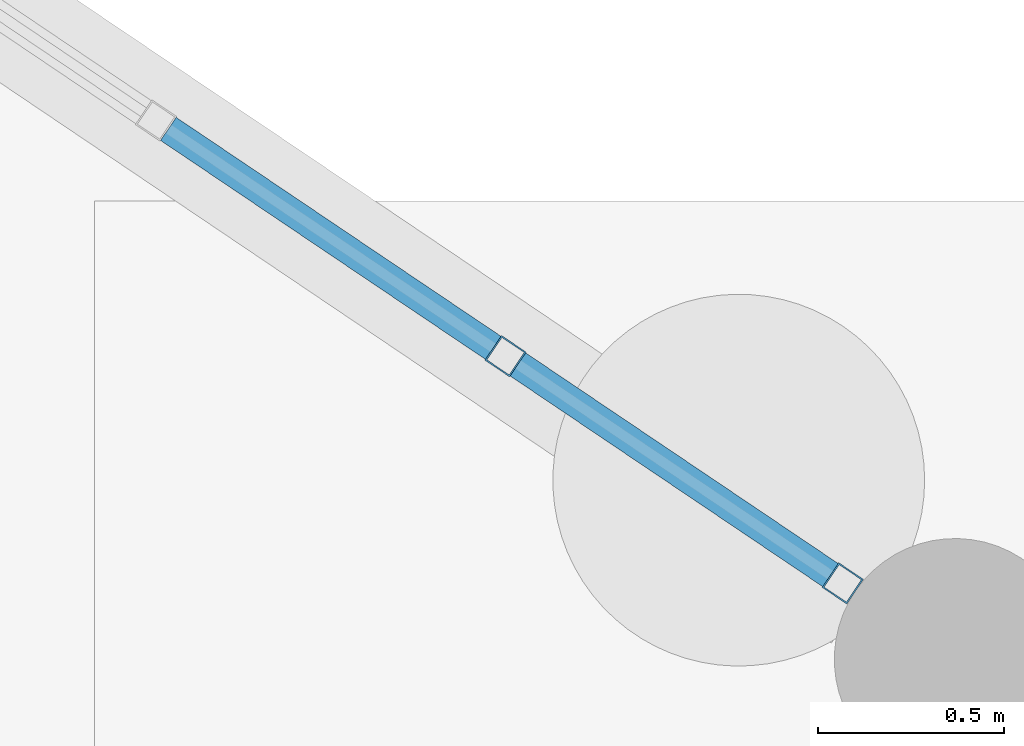
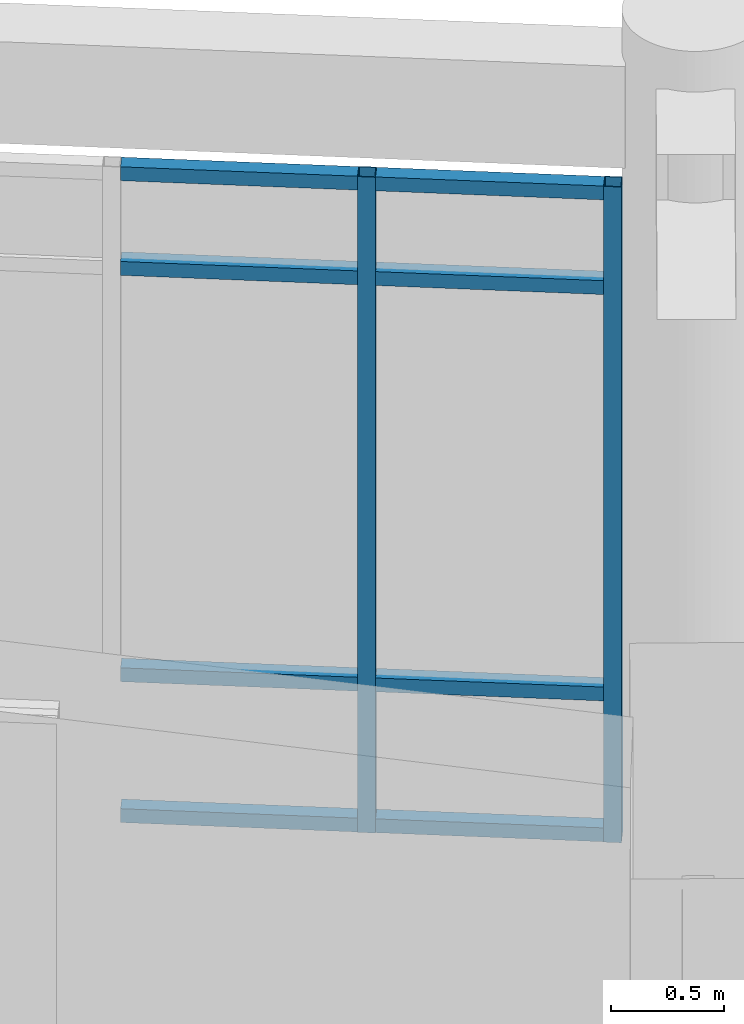
# One storey, part 41 of 153: 10 members, 1 element without a shape of its own.
"""IFC4 building model written with IfcOpenShell, lengths in metres."""

import ifcopenshell
import ifcopenshell.guid

model = None  # the IFC model being written
_history = None  # IfcOwnerHistory: only IFC2X3 demands one
_inside = {}  # id of a spatial element -> (the spatial element, [elements in it])
_under = {}  # id of a project, library or spatial element -> (it, [spatial elements below it])
_declared = {}  # id of a project -> (the project, [libraries it declares])
_typed = {}  # id of a type object -> (the type object, [elements of that type])
_made_of = {}  # id of a material, layer set ... -> (it, [elements and type objects made of it])


def new_model(schema):
    """Start an empty IFC model of exactly this schema.

    Asked for "IFC4X3", IfcOpenShell would pick the latest addendum, in which some entities
    have other attributes; the version numbers below select the first issue.
    IFC2X3 requires an IfcOwnerHistory on every rooted entity: one is made here for all.
    """
    global model, _history
    if schema == "IFC4X3":
        model = ifcopenshell.file(schema_version=(4, 3, 0, 0))
    else:
        model = ifcopenshell.file(schema=schema)
    _inside.clear()
    _under.clear()
    _declared.clear()
    _typed.clear()
    _made_of.clear()
    _history = None
    if model.schema == "IFC2X3":
        org = make("IfcOrganization", Name="unknown")
        user = make(
            "IfcPersonAndOrganization",
            ThePerson=make("IfcPerson", FamilyName="unknown"),
            TheOrganization=org,
        )
        app = make(
            "IfcApplication",
            ApplicationDeveloper=org,
            Version="unknown",
            ApplicationFullName="unknown",
            ApplicationIdentifier="unknown",
        )
        _history = make(
            "IfcOwnerHistory",
            OwningUser=user,
            OwningApplication=app,
            ChangeAction="ADDED",
            CreationDate=0,
        )
    return model


def make(cls, **values):
    """One entity of the class cls with the attributes given. An attribute that is None is left unset."""
    return model.create_entity(
        cls, **{name: value for name, value in values.items() if value is not None}
    )


def rooted(cls, **values):
    """An entity with a GlobalId (a new one), such as an element, a storey or a relation."""
    return make(cls, GlobalId=ifcopenshell.guid.new(), OwnerHistory=_history, **values)


def si_unit(unit_type, name, prefix=None):
    """IfcSIUnit, for example si_unit("LENGTHUNIT", "METRE", prefix="MILLI")."""
    return make("IfcSIUnit", UnitType=unit_type, Prefix=prefix, Name=name)


def assignment(units):
    """IfcUnitAssignment: the units of a project."""
    return None if units is None else make("IfcUnitAssignment", Units=units)


def point(xyz):
    """IfcCartesianPoint."""
    return None if xyz is None else make("IfcCartesianPoint", Coordinates=xyz)


def direction(xyz):
    """IfcDirection."""
    return None if xyz is None else make("IfcDirection", DirectionRatios=xyz)


def frame(location, z_axis=None, x_axis=None):
    """IfcAxis2Placement3D, a coordinate frame: its origin and axes. An axis left out is left unset."""
    return make(
        "IfcAxis2Placement3D",
        Location=point(location),
        Axis=direction(z_axis),
        RefDirection=direction(x_axis),
    )


def frame_2d(location, x_axis=None):
    """IfcAxis2Placement2D, a coordinate frame in the plane: its origin and x axis."""
    return make(
        "IfcAxis2Placement2D", Location=point(location), RefDirection=direction(x_axis)
    )


def origin():
    """The frame at (0, 0, 0) with its axes left unset."""
    return frame((0.0, 0.0, 0.0))


def origin_2d():
    """The frame at (0, 0) in the plane with its x axis left unset."""
    return frame_2d((0.0, 0.0))


def place(relative_to, where):
    """IfcLocalPlacement: puts the frame where relative to a parent placement (None: the world)."""
    return make(
        "IfcLocalPlacement", PlacementRelTo=relative_to, RelativePlacement=where
    )


def context(
    kind, dimensions, precision=None, world=None, true_north=None, identifier=None
):
    """IfcGeometricRepresentationContext, for example the 3D "Model" context."""
    return make(
        "IfcGeometricRepresentationContext",
        ContextIdentifier=identifier,
        ContextType=kind,
        CoordinateSpaceDimension=dimensions,
        Precision=precision,
        WorldCoordinateSystem=world,
        TrueNorth=true_north,
    )


def subcontext(parent, identifier, kind, view, scale=None):
    """IfcGeometricRepresentationSubContext, for example "Body" below "Model"."""
    return make(
        "IfcGeometricRepresentationSubContext",
        ContextIdentifier=identifier,
        ContextType=kind,
        ParentContext=parent,
        TargetScale=scale,
        TargetView=view,
    )


def project(units=None, contexts=None):
    """IfcProject with its units and contexts."""
    return rooted(
        "IfcProject",
        Name="project",
        RepresentationContexts=contexts,
        UnitsInContext=assignment(units),
    )


def spatial(cls, under=None, at=None, **own):
    """A site, building, storey or space (cls), placed at a placement, below another one or the project."""
    s = rooted(cls, ObjectPlacement=at, **own)
    if under is not None:
        _under.setdefault(under.id(), (under, []))[1].append(s)
    return s


def profile(cls, at=None, kind="AREA", **sizes):
    """A parametric profile (cls). Its sizes go by their IFC names, for example OverallWidth=200.0."""
    return make(cls, ProfileType=kind, Position=at, **sizes)


def hollow_rectangle(**sizes):
    """IfcRectangleHollowProfileDef."""
    return profile("IfcRectangleHollowProfileDef", **sizes)


def extrude(swept, where, along, depth):
    """IfcExtrudedAreaSolid: the profile swept, set in the frame where, extruded along a direction by depth."""
    return make(
        "IfcExtrudedAreaSolid",
        SweptArea=swept,
        Position=where,
        ExtrudedDirection=direction(along),
        Depth=depth,
    )


def shape(context_of_items, identifier, shape_type, items):
    """IfcShapeRepresentation: the items that make up one representation, for example the "Body"."""
    return make(
        "IfcShapeRepresentation",
        ContextOfItems=context_of_items,
        RepresentationIdentifier=identifier,
        RepresentationType=shape_type,
        Items=items,
    )


def material(Name=None, Category=None):
    """IfcMaterial."""
    return make("IfcMaterial", Name=Name, Category=Category)


def material_profile(
    of_material, cross_section, Name=None, Category=None, Priority=None
):
    """IfcMaterialProfile: a cross section and its material."""
    return make(
        "IfcMaterialProfile",
        Name=Name,
        Material=of_material,
        Profile=cross_section,
        Priority=Priority,
        Category=Category,
    )


def profile_set(profiles, Name=None, composite=None):
    """IfcMaterialProfileSet."""
    return make(
        "IfcMaterialProfileSet",
        Name=Name,
        MaterialProfiles=profiles,
        CompositeProfile=composite,
    )


def made_of(thing, what):
    """Note that an element or type object is made of a material, layer set ...; save() writes the relation."""
    if what is not None:
        _made_of.setdefault(what.id(), (what, []))[1].append(thing)
    return thing


def type_object(cls, material=None, **own):
    """A type object (cls), such as IfcWallType, which elements share."""
    return made_of(rooted(cls, **own), material)


def element(
    cls,
    number,
    at=None,
    inside=None,
    cuts=None,
    type_object=None,
    material=None,
    context=None,
    identifier="Body",
    shape_type=None,
    held_by="IfcProductDefinitionShape",
    body=None,
    shapes=None,
    **own,
):
    """One element of the class cls, such as IfcWall. Its Tag is "e" and its number.

    at: its placement. inside: the storey or other place that contains it. cuts: it is an
    opening in that element (IfcRelVoidsElement). A single representation is given by context,
    identifier, shape_type and body (its items); several are given by shapes. held_by: the class
    of the entity that holds the representations. save() writes the other relations.
    """
    e = rooted(cls, Tag="e%d" % number, ObjectPlacement=at, **own)
    if body is not None:
        shapes = [shape(context, identifier, shape_type, body)]
    if shapes is not None:
        e.Representation = make(held_by, Representations=shapes)
    if inside is not None:
        _inside.setdefault(inside.id(), (inside, []))[1].append(e)
    if cuts is not None:
        rooted(
            "IfcRelVoidsElement", RelatingBuildingElement=cuts, RelatedOpeningElement=e
        )
    if type_object is not None:
        _typed.setdefault(type_object.id(), (type_object, []))[1].append(e)
    return made_of(e, material)


def aggregate(whole, parts):
    """IfcRelAggregates: a whole, such as a stair, and the parts it consists of."""
    return rooted("IfcRelAggregates", RelatingObject=whole, RelatedObjects=parts)


def save(model, path):
    """Write the relations noted so far, then the file.

    IfcRelAggregates (storeys below a building ...), IfcRelContainedInSpatialStructure (elements
    in a storey), IfcRelDefinesByType, IfcRelAssociatesMaterial and IfcRelDeclares: one each for
    every whole, place, type object, material and project.
    """
    for whole, parts in _under.values():
        aggregate(whole, parts)
    for where, things in _inside.values():
        rooted(
            "IfcRelContainedInSpatialStructure",
            RelatedElements=things,
            RelatingStructure=where,
        )
    for kind, things in _typed.values():
        rooted("IfcRelDefinesByType", RelatedObjects=things, RelatingType=kind)
    for what, things in _made_of.values():
        rooted("IfcRelAssociatesMaterial", RelatedObjects=things, RelatingMaterial=what)
    for by, libraries in _declared.values():
        rooted("IfcRelDeclares", RelatingContext=by, RelatedDefinitions=libraries)
    model.write(path)


model = new_model("IFC4")

# Units and contexts
model_context = context("Model", 3, precision=1e-05, world=origin(), true_north=direction((0.0, 1.0)))
body_context = subcontext(model_context, "Body", "Model", "MODEL_VIEW")
ifc_project = project(units=[si_unit("LENGTHUNIT", "METRE"), si_unit("AREAUNIT", "SQUARE_METRE"), si_unit("VOLUMEUNIT", "CUBIC_METRE"), si_unit("PLANEANGLEUNIT", "RADIAN"), si_unit("MASSUNIT", "GRAM", prefix="KILO")], contexts=[model_context])

# Site, building, storey
site_placement = place(None, origin())
site = spatial("IfcSite", under=ifc_project, at=site_placement, CompositionType="ELEMENT")
building_placement = place(site_placement, origin())
building = spatial("IfcBuilding", under=site, at=building_placement, Name="Celadon Cloister-Ring School", CompositionType="ELEMENT")
storey_placement = place(building_placement, origin())
storey = spatial("IfcBuildingStorey", under=building, at=storey_placement, Name="L00", CompositionType="ELEMENT", Elevation=0.0)

# Curtain wall, members
ifc_material_1 = material(Name="Aluminium EN AW-6063 T6", Category="aluminium")
curtain_wall_type = type_object("IfcCurtainWallType", Name="CW-01", PredefinedType="USERDEFINED", material=ifc_material_1)
curtain_wall_placement = place(storey_placement, origin())
curtain_wall = element("IfcCurtainWall", 1, at=curtain_wall_placement, inside=storey, type_object=curtain_wall_type, Name="Curtain Wall 0008", ObjectType="CURTAIN WALL", PredefinedType="USERDEFINED")
ifc_material_2 = material(Name="Aluminium EN AW-6063 T6", Category="aluminium")
ifc_material_profile_1 = material_profile(ifc_material_2, hollow_rectangle(XDim=0.080078125, YDim=0.080078125, WallThickness=0.00390625, at=origin_2d()), Name="RHS80X80X4")
ifc_profile_set_1 = profile_set([ifc_material_profile_1], Name="Aluminium EN AW-6063 T6")
member_type_1 = type_object("IfcMemberType", Name="CM-03", PredefinedType="MULLION", material=ifc_profile_set_1)
member_1_placement = place(storey_placement, frame((64.6357421875, 22.781494140625, 0.0), z_axis=(0.0, 0.0, 1.0), x_axis=(0.558845550563, 0.829271759206, 0.0)))
member_1 = element("IfcMember", 2, at=member_1_placement, type_object=member_type_1, Name="CW-01 mullion 5", PredefinedType="MULLION", context=body_context, shape_type="SweptSolid", body=[
    extrude(hollow_rectangle(XDim=0.080078125, YDim=0.080078125, WallThickness=0.00390625, at=origin_2d()), origin(), (0.0, 0.0, 1.0), 3.550048828125),
])
member_2_placement = place(storey_placement, frame((65.542724609375, 22.17041015625, 0.0), z_axis=(0.0, 0.0, 1.0), x_axis=(0.558845550563, 0.829271759206, 0.0)))
member_2 = element("IfcMember", 3, at=member_2_placement, type_object=member_type_1, Name="CW-01 mullion 6", PredefinedType="MULLION", context=body_context, shape_type="SweptSolid", body=[
    extrude(hollow_rectangle(XDim=0.080078125, YDim=0.080078125, WallThickness=0.00390625, at=origin_2d()), origin(), (0.0, 0.0, 1.0), 3.550048828125),
])
ifc_material_3 = material(Name="Aluminium EN AW-6063 T6", Category="aluminium")
ifc_material_profile_2 = material_profile(ifc_material_3, hollow_rectangle(XDim=0.074951171875, YDim=0.074951171875, WallThickness=0.00390625, at=origin_2d()), Name="RHS75X75X4")
ifc_profile_set_2 = profile_set([ifc_material_profile_2], Name="Aluminium EN AW-6063 T6")
member_type_2 = type_object("IfcMemberType", Name="CTM-03", PredefinedType="USERDEFINED", material=ifc_profile_set_2)
member_3_placement = place(storey_placement, frame((63.728759765625, 23.392822265625, 0.03759765625), z_axis=(0.829259424525, -0.558863853578, 0.0), x_axis=(0.558863853578, 0.829259424525, 0.0)))
member_3 = element("IfcMember", 4, at=member_3_placement, type_object=member_type_2, Name="CW-01 transom 4.1", ObjectType="TRANSOM", PredefinedType="USERDEFINED", context=body_context, shape_type="SweptSolid", body=[
    extrude(hollow_rectangle(XDim=0.074951171875, YDim=0.074951171875, WallThickness=0.00390625, at=origin_2d()), origin(), (0.0, 0.0, 1.0), 1.0537109375),
])
member_4_placement = place(storey_placement, frame((63.728759765625, 23.392822265625, 0.800048828125), z_axis=(0.829259424525, -0.558863853578, 0.0), x_axis=(0.558863853578, 0.829259424525, 0.0)))
member_4 = element("IfcMember", 5, at=member_4_placement, type_object=member_type_2, Name="CW-01 transom 4.2", ObjectType="TRANSOM", PredefinedType="USERDEFINED", context=body_context, shape_type="SweptSolid", body=[
    extrude(hollow_rectangle(XDim=0.074951171875, YDim=0.074951171875, WallThickness=0.00390625, at=origin_2d()), origin(), (0.0, 0.0, 1.0), 1.0537109375),
])
member_5_placement = place(storey_placement, frame((63.728759765625, 23.392822265625, 3.0), z_axis=(0.829259424525, -0.558863853578, 0.0), x_axis=(0.558863853578, 0.829259424525, 0.0)))
member_5 = element("IfcMember", 6, at=member_5_placement, type_object=member_type_2, Name="CW-01 transom 4.3", ObjectType="TRANSOM", PredefinedType="USERDEFINED", context=body_context, shape_type="SweptSolid", body=[
    extrude(hollow_rectangle(XDim=0.074951171875, YDim=0.074951171875, WallThickness=0.00390625, at=origin_2d()), origin(), (0.0, 0.0, 1.0), 1.0537109375),
])
member_6_placement = place(storey_placement, frame((63.728759765625, 23.392822265625, 3.512451171875), z_axis=(0.829259424525, -0.558863853578, 0.0), x_axis=(0.558863853578, 0.829259424525, 0.0)))
member_6 = element("IfcMember", 7, at=member_6_placement, type_object=member_type_2, Name="CW-01 transom 4.4", ObjectType="TRANSOM", PredefinedType="USERDEFINED", context=body_context, shape_type="SweptSolid", body=[
    extrude(hollow_rectangle(XDim=0.074951171875, YDim=0.074951171875, WallThickness=0.00390625, at=origin_2d()), origin(), (0.0, 0.0, 1.0), 1.0537109375),
])
member_7_placement = place(storey_placement, frame((64.6689453125, 22.75927734375, 0.03759765625), z_axis=(0.829261575875, -0.558860661326, 0.0), x_axis=(0.558860661326, 0.829261575875, 0.0)))
member_7 = element("IfcMember", 8, at=member_7_placement, type_object=member_type_2, Name="CW-01 transom 5.1", ObjectType="TRANSOM", PredefinedType="USERDEFINED", context=body_context, shape_type="SweptSolid", body=[
    extrude(hollow_rectangle(XDim=0.074951171875, YDim=0.074951171875, WallThickness=0.00390625, at=origin_2d()), origin(), (0.0, 0.0, 1.0), 1.013916015625),
])
member_8_placement = place(storey_placement, frame((64.6689453125, 22.75927734375, 0.800048828125), z_axis=(0.829261575875, -0.558860661326, 0.0), x_axis=(0.558860661326, 0.829261575875, 0.0)))
member_8 = element("IfcMember", 9, at=member_8_placement, type_object=member_type_2, Name="CW-01 transom 5.2", ObjectType="TRANSOM", PredefinedType="USERDEFINED", context=body_context, shape_type="SweptSolid", body=[
    extrude(hollow_rectangle(XDim=0.074951171875, YDim=0.074951171875, WallThickness=0.00390625, at=origin_2d()), origin(), (0.0, 0.0, 1.0), 1.013916015625),
])
member_9_placement = place(storey_placement, frame((64.6689453125, 22.75927734375, 3.0), z_axis=(0.829261575875, -0.558860661326, 0.0), x_axis=(0.558860661326, 0.829261575875, 0.0)))
member_9 = element("IfcMember", 10, at=member_9_placement, type_object=member_type_2, Name="CW-01 transom 5.3", ObjectType="TRANSOM", PredefinedType="USERDEFINED", context=body_context, shape_type="SweptSolid", body=[
    extrude(hollow_rectangle(XDim=0.074951171875, YDim=0.074951171875, WallThickness=0.00390625, at=origin_2d()), origin(), (0.0, 0.0, 1.0), 1.013916015625),
])
member_10_placement = place(storey_placement, frame((64.6689453125, 22.75927734375, 3.512451171875), z_axis=(0.829261575875, -0.558860661326, 0.0), x_axis=(0.558860661326, 0.829261575875, 0.0)))
member_10 = element("IfcMember", 11, at=member_10_placement, type_object=member_type_2, Name="CW-01 transom 5.4", ObjectType="TRANSOM", PredefinedType="USERDEFINED", context=body_context, shape_type="SweptSolid", body=[
    extrude(hollow_rectangle(XDim=0.074951171875, YDim=0.074951171875, WallThickness=0.00390625, at=origin_2d()), origin(), (0.0, 0.0, 1.0), 1.013916015625),
])
aggregate(curtain_wall, [member_1, member_2, member_3, member_4, member_5, member_6, member_7, member_8, member_9, member_10])

save(model, "model.ifc")
